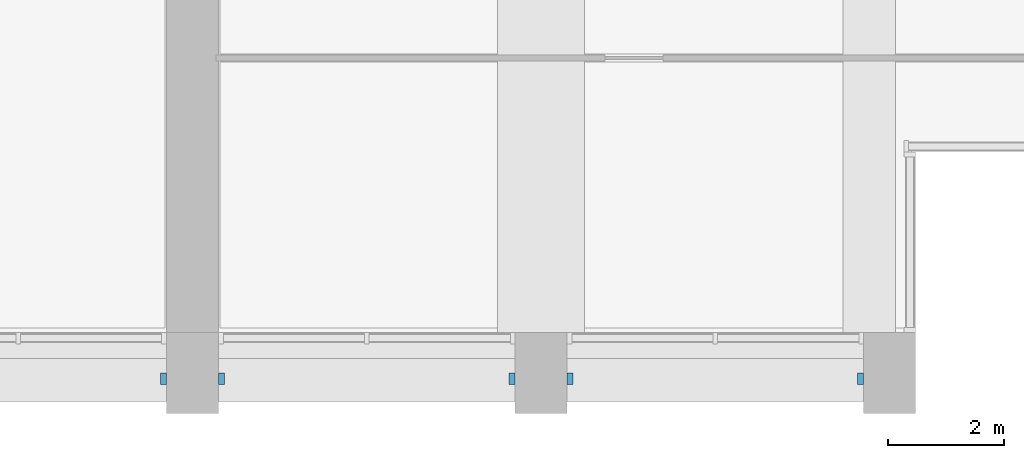
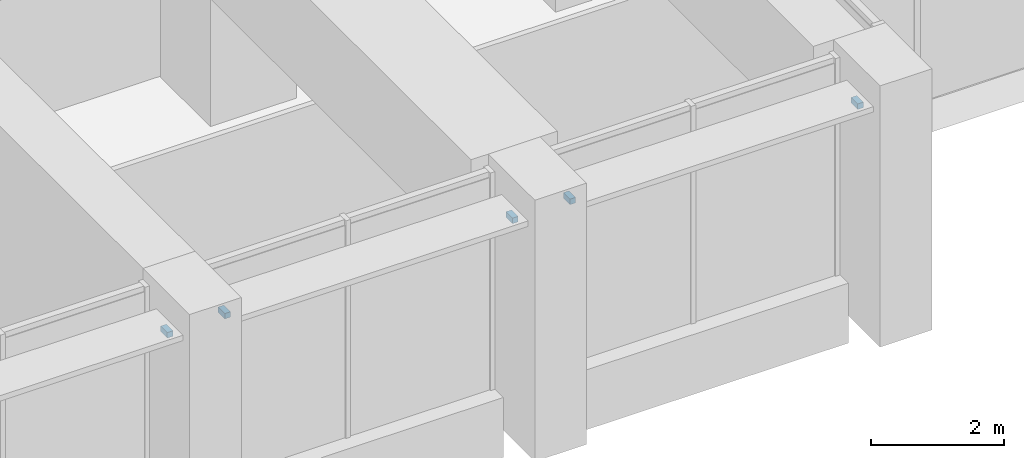
# One storey, part 15 of 18: 5 discrete accessories.
"""IFC4 building model written with IfcOpenShell, lengths in metres."""

from ifc_helpers import new_model, si_unit, direction, frame, origin, origin_2d, place, context, subcontext, project, spatial, rectangle, extrude, element, save


model = new_model("IFC4")

# Units and contexts
model_context = context("Model", 3, precision=1e-05, world=origin(), true_north=direction((0.0, 1.0)))
body_context = subcontext(model_context, "Body", "Model", "MODEL_VIEW")
ifc_project = project(units=[si_unit("LENGTHUNIT", "METRE"), si_unit("AREAUNIT", "SQUARE_METRE"), si_unit("VOLUMEUNIT", "CUBIC_METRE"), si_unit("PLANEANGLEUNIT", "RADIAN"), si_unit("MASSUNIT", "GRAM", prefix="KILO")], contexts=[model_context])

# Site, building, storey
site_placement = place(None, origin())
site = spatial("IfcSite", under=ifc_project, at=site_placement, CompositionType="ELEMENT")
building_placement = place(site_placement, origin())
building = spatial("IfcBuilding", under=site, at=building_placement, Name="Calvaro Tower", CompositionType="ELEMENT")
storey_placement = place(building_placement, frame((0.0, 0.0, 90.0)))
storey = spatial("IfcBuildingStorey", under=building, at=storey_placement, Name="L22", CompositionType="ELEMENT", Elevation=90.0)

# Discrete accessories
for number, where, z_axis, x_axis, name in (
    (1, (59.5, 0.60009765625, 3.5), (0.0, 0.0, 1.0), (1.0, 0.0, 0.0), "Brise-soleil bracket"),
    (2, (60.5, 0.60009765625, 3.5), (0.0, 0.0, 1.0), (1.0, 0.0, 0.0), "Brise-soleil bracket"),
    (3, (65.5, 0.60009765625, 3.5), (0.0, 0.0, 1.0), (1.0, 0.0, 0.0), "Brise-soleil bracket"),
    (4, (66.5, 0.60009765625, 3.5), (0.0, 0.0, 1.0), (1.0, 0.0, 0.0), "Brise-soleil bracket"),
    (5, (71.5, 0.60009765625, 3.5), (0.0, 0.0, 1.0), (1.0, 0.0, 0.0), "Brise-soleil bracket"),
):
    element("IfcDiscreteAccessory", number, at=place(storey_placement, frame(where, z_axis=z_axis, x_axis=x_axis)), inside=storey, Name=name, PredefinedType="BRACKET", context=body_context, shape_type="SweptSolid", body=[
        extrude(rectangle(XDim=0.10009765625, YDim=0.199951171875, at=origin_2d()), origin(), (0.0, 0.0, 1.0), 0.10009765625),
    ])

save(model, "model.ifc")
